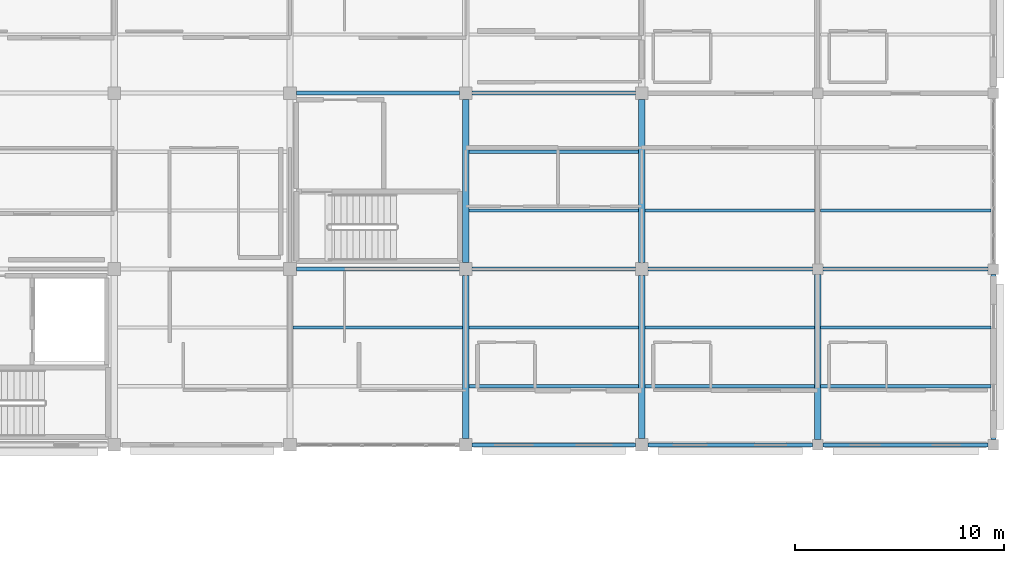
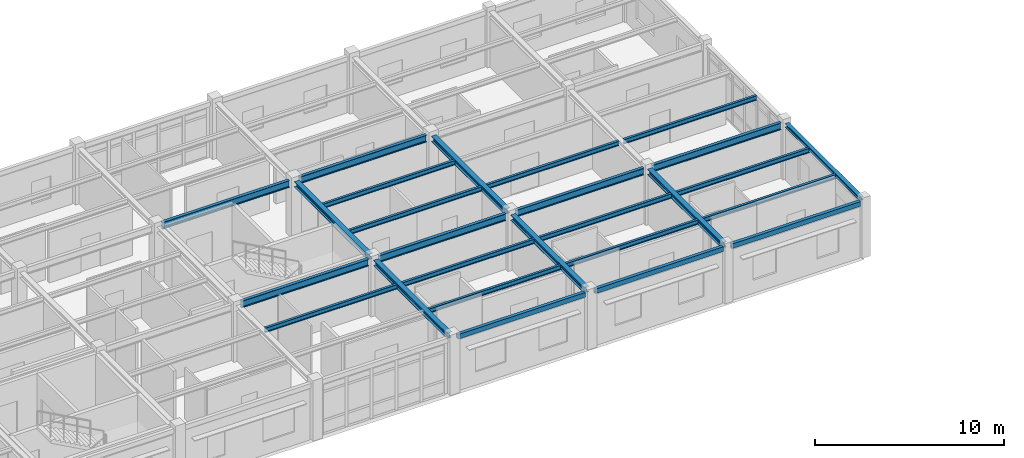
# One storey, part 39 of 86: 26 beams.
"""IFC4 building model written with IfcOpenShell, lengths in metres."""

from ifc_helpers import new_model, si_unit, direction, frame, origin, origin_2d, place, context, subcontext, project, spatial, hollow_rectangle, i_section, extrude, material, material_profile, profile_set, type_object, element, save


model = new_model("IFC4")

# Units and contexts
model_context = context("Model", 3, precision=1e-05, world=origin(), true_north=direction((0.0, 1.0)))
body_context = subcontext(model_context, "Body", "Model", "MODEL_VIEW")
ifc_project = project(units=[si_unit("LENGTHUNIT", "METRE"), si_unit("AREAUNIT", "SQUARE_METRE"), si_unit("VOLUMEUNIT", "CUBIC_METRE"), si_unit("PLANEANGLEUNIT", "RADIAN"), si_unit("MASSUNIT", "GRAM", prefix="KILO")], contexts=[model_context])

# Site, building, storey
site_placement = place(None, origin())
site = spatial("IfcSite", under=ifc_project, at=site_placement, CompositionType="ELEMENT")
building_placement = place(site_placement, origin())
building = spatial("IfcBuilding", under=site, at=building_placement, Name="Bramfleet General Hospital", CompositionType="ELEMENT")
storey_placement = place(building_placement, frame((0.0, 0.0, 18.60009765625)))
storey = spatial("IfcBuildingStorey", under=building, at=storey_placement, Name="L04", CompositionType="ELEMENT", Elevation=18.60009765625)

# Beams
ifc_material = material(Name="Steel S355", Category="steel")
ifc_material_profile_1 = material_profile(ifc_material, i_section(OverallWidth=0.239990234375, OverallDepth=0.22998046875, WebThickness=0.007568359375, FlangeThickness=0.011962890625, FilletRadius=0.02099609375, at=origin_2d()), Name="HEA 240")
ifc_profile_set_1 = profile_set([ifc_material_profile_1], Name="Steel S355")
beam_type_1 = type_object("IfcBeamType", Name="BM-HEA240", PredefinedType="SPANDREL", material=ifc_profile_set_1)
beam_1_placement = place(storey_placement, frame((168.0, 92.64990234375, 3.494873046875), z_axis=(0.0, 1.0, 0.0), x_axis=(-1.0, 0.0, 0.0)))
element("IfcBeam", 1, at=beam_1_placement, inside=storey, type_object=beam_type_1, Name="L04 Grid Beam Y 20-11", PredefinedType="SPANDREL", context=body_context, shape_type="SweptSolid", body=[
    extrude(i_section(OverallWidth=0.239990234375, OverallDepth=0.22998046875, WebThickness=0.007568359375, FlangeThickness=0.011962890625, FilletRadius=0.02099609375, at=origin_2d()), origin(), (0.0, 0.0, 1.0), 7.900146484375),
])
ifc_material_profile_2 = material_profile(ifc_material, i_section(OverallWidth=0.300048828125, OverallDepth=0.35009765625, WebThickness=0.010009765625, FlangeThickness=0.017578125, FilletRadius=0.027099609375, at=origin_2d()), Name="HEA 360")
ifc_profile_set_2 = profile_set([ifc_material_profile_2], Name="Steel S355")
beam_type_2 = type_object("IfcBeamType", Name="BM-HEA360", PredefinedType="BEAM", material=ifc_profile_set_2)
beam_2_placement = place(storey_placement, frame((142.800048828125, 92.699951171875, 3.44482421875), z_axis=(0.0, 1.0, 0.0), x_axis=(-1.0, 0.0, 0.0)))
element("IfcBeam", 2, at=beam_2_placement, inside=storey, type_object=beam_type_2, Name="L04 Grid Beam Y 17-11", PredefinedType="BEAM", context=body_context, shape_type="SweptSolid", body=[
    extrude(i_section(OverallWidth=0.300048828125, OverallDepth=0.35009765625, WebThickness=0.010009765625, FlangeThickness=0.017578125, FilletRadius=0.027099609375, at=origin_2d()), origin(), (0.0, 0.0, 1.0), 7.800048828125),
])
beam_3_placement = place(storey_placement, frame((142.800048828125, 101.10009765625, 3.44482421875), z_axis=(0.0, 1.0, 0.0), x_axis=(-1.0, 0.0, 0.0)))
element("IfcBeam", 3, at=beam_3_placement, inside=storey, type_object=beam_type_2, Name="L04 Grid Beam Y 17-12", PredefinedType="BEAM", context=body_context, shape_type="SweptSolid", body=[
    extrude(i_section(OverallWidth=0.300048828125, OverallDepth=0.35009765625, WebThickness=0.010009765625, FlangeThickness=0.017578125, FilletRadius=0.027099609375, at=origin_2d()), origin(), (0.0, 0.0, 1.0), 7.7998046875),
])
beam_4_placement = place(storey_placement, frame((151.199951171875, 92.699951171875, 3.44482421875), z_axis=(0.0, 1.0, 0.0), x_axis=(-1.0, 0.0, 0.0)))
element("IfcBeam", 4, at=beam_4_placement, inside=storey, type_object=beam_type_2, Name="L04 Grid Beam Y 18-11", PredefinedType="BEAM", context=body_context, shape_type="SweptSolid", body=[
    extrude(i_section(OverallWidth=0.300048828125, OverallDepth=0.35009765625, WebThickness=0.010009765625, FlangeThickness=0.017578125, FilletRadius=0.027099609375, at=origin_2d()), origin(), (0.0, 0.0, 1.0), 7.800048828125),
])
beam_5_placement = place(storey_placement, frame((151.199951171875, 101.10009765625, 3.44482421875), z_axis=(0.0, 1.0, 0.0), x_axis=(-1.0, 0.0, 0.0)))
element("IfcBeam", 5, at=beam_5_placement, inside=storey, type_object=beam_type_2, Name="L04 Grid Beam Y 18-12", PredefinedType="BEAM", context=body_context, shape_type="SweptSolid", body=[
    extrude(i_section(OverallWidth=0.300048828125, OverallDepth=0.35009765625, WebThickness=0.010009765625, FlangeThickness=0.017578125, FilletRadius=0.027099609375, at=origin_2d()), origin(), (0.0, 0.0, 1.0), 7.7998046875),
])
beam_6_placement = place(storey_placement, frame((159.60009765625, 92.64990234375, 3.434814453125), z_axis=(0.0, 1.0, 0.0), x_axis=(-1.0, 0.0, 0.0)))
element("IfcBeam", 6, at=beam_6_placement, inside=storey, type_object=beam_type_2, Name="L04 Grid Beam Y 19-11", PredefinedType="BEAM", context=body_context, shape_type="SweptSolid", body=[
    extrude(i_section(OverallWidth=0.300048828125, OverallDepth=0.35009765625, WebThickness=0.010009765625, FlangeThickness=0.017578125, FilletRadius=0.027099609375, at=origin_2d()), origin(), (0.0, 0.0, 1.0), 7.900146484375),
])
ifc_material_profile_3 = material_profile(ifc_material, i_section(OverallWidth=0.14990234375, OverallDepth=0.300048828125, WebThickness=0.007080078125, FlangeThickness=0.0107421875, FilletRadius=0.014892578125, at=origin_2d()), Name="IPE 300")
ifc_profile_set_3 = profile_set([ifc_material_profile_3], Name="Steel S355")
beam_type_3 = type_object("IfcBeamType", Name="BM-IPE300", PredefinedType="JOIST", material=ifc_profile_set_3)
beam_7_placement = place(storey_placement, frame((134.550048828125, 98.0, 3.469970703125), z_axis=(1.0, 0.0, 0.0), x_axis=(0.0, 1.0, 0.0)))
element("IfcBeam", 7, at=beam_7_placement, inside=storey, type_object=beam_type_3, Name="L04 Secondary Joist 16-11-2", PredefinedType="JOIST", context=body_context, shape_type="SweptSolid", body=[
    extrude(i_section(OverallWidth=0.14990234375, OverallDepth=0.300048828125, WebThickness=0.007080078125, FlangeThickness=0.0107421875, FilletRadius=0.014892578125, at=origin_2d()), origin(), (0.0, 0.0, 1.0), 8.099853515625),
])
for number, where, z_axis, x_axis, name in (
    (8, (142.949951171875, 95.199951171875, 3.469970703125), (1.0, 0.0, 0.0), (0.0, 1.0, 0.0), "L04 Secondary Joist 17-11-1"),
    (9, (142.949951171875, 98.0, 3.469970703125), (1.0, 0.0, 0.0), (0.0, 1.0, 0.0), "L04 Secondary Joist 17-11-2"),
    (10, (142.949951171875, 103.60009765625, 3.469970703125), (1.0, 0.0, 0.0), (0.0, 1.0, 0.0), "L04 Secondary Joist 17-12-1"),
    (11, (142.949951171875, 106.39990234375, 3.469970703125), (1.0, 0.0, 0.0), (0.0, 1.0, 0.0), "L04 Secondary Joist 17-12-2"),
):
    element("IfcBeam", number, at=place(storey_placement, frame(where, z_axis=z_axis, x_axis=x_axis)), inside=storey, type_object=beam_type_3, Name=name, PredefinedType="JOIST", context=body_context, shape_type="SweptSolid", body=[
        extrude(i_section(OverallWidth=0.14990234375, OverallDepth=0.300048828125, WebThickness=0.007080078125, FlangeThickness=0.0107421875, FilletRadius=0.014892578125, at=origin_2d()), origin(), (0.0, 0.0, 1.0), 8.10009765625),
    ])
for number, where, z_axis, x_axis, name in (
    (12, (151.35009765625, 95.199951171875, 3.469970703125), (1.0, 0.0, 0.0), (0.0, 1.0, 0.0), "L04 Secondary Joist 18-11-1"),
    (13, (151.35009765625, 98.0, 3.469970703125), (1.0, 0.0, 0.0), (0.0, 1.0, 0.0), "L04 Secondary Joist 18-11-2"),
    (14, (151.35009765625, 103.60009765625, 3.469970703125), (1.0, 0.0, 0.0), (0.0, 1.0, 0.0), "L04 Secondary Joist 18-12-1"),
):
    element("IfcBeam", number, at=place(storey_placement, frame(where, z_axis=z_axis, x_axis=x_axis)), inside=storey, type_object=beam_type_3, Name=name, PredefinedType="JOIST", context=body_context, shape_type="SweptSolid", body=[
        extrude(i_section(OverallWidth=0.14990234375, OverallDepth=0.300048828125, WebThickness=0.007080078125, FlangeThickness=0.0107421875, FilletRadius=0.014892578125, at=origin_2d()), origin(), (0.0, 0.0, 1.0), 8.099853515625),
    ])
for number, where, z_axis, x_axis, name in (
    (15, (159.75, 95.199951171875, 3.4599609375), (1.0, 0.0, 0.0), (0.0, 1.0, 0.0), "L04 Secondary Joist 19-11-1"),
    (16, (159.75, 98.0, 3.4599609375), (1.0, 0.0, 0.0), (0.0, 1.0, 0.0), "L04 Secondary Joist 19-11-2"),
    (17, (159.75, 103.60009765625, 3.4599609375), (1.0, 0.0, 0.0), (0.0, 1.0, 0.0), "L04 Secondary Joist 19-12-1"),
):
    element("IfcBeam", number, at=place(storey_placement, frame(where, z_axis=z_axis, x_axis=x_axis)), inside=storey, type_object=beam_type_3, Name=name, PredefinedType="JOIST", context=body_context, shape_type="SweptSolid", body=[
        extrude(i_section(OverallWidth=0.14990234375, OverallDepth=0.300048828125, WebThickness=0.007080078125, FlangeThickness=0.0107421875, FilletRadius=0.014892578125, at=origin_2d()), origin(), (0.0, 0.0, 1.0), 8.1298828125),
    ])
ifc_material_profile_4 = material_profile(ifc_material, i_section(OverallWidth=0.18994140625, OverallDepth=0.449951171875, WebThickness=0.009521484375, FlangeThickness=0.0146484375, FilletRadius=0.02099609375, at=origin_2d()), Name="IPE 450")
ifc_profile_set_4 = profile_set([ifc_material_profile_4], Name="Steel S355")
beam_type_4 = type_object("IfcBeamType", Name="BM-IPE450", PredefinedType="BEAM", material=ifc_profile_set_4)
for number, where, z_axis, x_axis, name in (
    (18, (134.699951171875, 100.800048828125, 3.39501953125), (1.0, 0.0, 0.0), (0.0, 1.0, 0.0), "L04 Grid Beam X 16-12"),
    (19, (134.699951171875, 109.199951171875, 3.39501953125), (1.0, 0.0, 0.0), (0.0, 1.0, 0.0), "L04 Grid Beam X 16-13"),
):
    element("IfcBeam", number, at=place(storey_placement, frame(where, z_axis=z_axis, x_axis=x_axis)), inside=storey, type_object=beam_type_4, Name=name, PredefinedType="BEAM", context=body_context, shape_type="SweptSolid", body=[
        extrude(i_section(OverallWidth=0.18994140625, OverallDepth=0.449951171875, WebThickness=0.009521484375, FlangeThickness=0.0146484375, FilletRadius=0.02099609375, at=origin_2d()), origin(), (0.0, 0.0, 1.0), 7.800048828125),
    ])
for number, where, z_axis, x_axis, name in (
    (20, (143.10009765625, 100.800048828125, 3.39501953125), (1.0, 0.0, 0.0), (0.0, 1.0, 0.0), "L04 Grid Beam X 17-12"),
    (21, (143.10009765625, 109.199951171875, 3.39501953125), (1.0, 0.0, 0.0), (0.0, 1.0, 0.0), "L04 Grid Beam X 17-13"),
):
    element("IfcBeam", number, at=place(storey_placement, frame(where, z_axis=z_axis, x_axis=x_axis)), inside=storey, type_object=beam_type_4, Name=name, PredefinedType="BEAM", context=body_context, shape_type="SweptSolid", body=[
        extrude(i_section(OverallWidth=0.18994140625, OverallDepth=0.449951171875, WebThickness=0.009521484375, FlangeThickness=0.0146484375, FilletRadius=0.02099609375, at=origin_2d()), origin(), (0.0, 0.0, 1.0), 7.7998046875),
    ])
beam_8_placement = place(storey_placement, frame((151.5, 100.800048828125, 3.39501953125), z_axis=(1.0, 0.0, 0.0), x_axis=(0.0, 1.0, 0.0)))
element("IfcBeam", 22, at=beam_8_placement, inside=storey, type_object=beam_type_4, Name="L04 Grid Beam X 18-12", PredefinedType="BEAM", context=body_context, shape_type="SweptSolid", body=[
    extrude(i_section(OverallWidth=0.18994140625, OverallDepth=0.449951171875, WebThickness=0.009521484375, FlangeThickness=0.0146484375, FilletRadius=0.02099609375, at=origin_2d()), origin(), (0.0, 0.0, 1.0), 7.85009765625),
])
beam_9_placement = place(storey_placement, frame((159.85009765625, 100.800048828125, 3.385009765625), z_axis=(1.0, 0.0, 0.0), x_axis=(0.0, 1.0, 0.0)))
element("IfcBeam", 23, at=beam_9_placement, inside=storey, type_object=beam_type_4, Name="L04 Grid Beam X 19-12", PredefinedType="BEAM", context=body_context, shape_type="SweptSolid", body=[
    extrude(i_section(OverallWidth=0.18994140625, OverallDepth=0.449951171875, WebThickness=0.009521484375, FlangeThickness=0.0146484375, FilletRadius=0.02099609375, at=origin_2d()), origin(), (0.0, 0.0, 1.0), 7.89990234375),
])
ifc_material_profile_5 = material_profile(ifc_material, hollow_rectangle(XDim=0.199951171875, YDim=0.300048828125, WallThickness=0.012451171875, at=origin_2d()), Name="RHS 300x200x12.5")
ifc_profile_set_5 = profile_set([ifc_material_profile_5], Name="Steel S355")
beam_type_5 = type_object("IfcBeamType", Name="BM-RHS300", PredefinedType="SPANDREL", material=ifc_profile_set_5)
beam_10_placement = place(storey_placement, frame((143.10009765625, 92.39990234375, 3.469970703125), z_axis=(1.0, 0.0, 0.0), x_axis=(0.0, 1.0, 0.0)))
element("IfcBeam", 24, at=beam_10_placement, inside=storey, type_object=beam_type_5, Name="L04 Grid Beam X 17-11", PredefinedType="SPANDREL", context=body_context, shape_type="SweptSolid", body=[
    extrude(hollow_rectangle(XDim=0.199951171875, YDim=0.300048828125, WallThickness=0.012451171875, at=origin_2d()), origin(), (0.0, 0.0, 1.0), 7.7998046875),
])
beam_11_placement = place(storey_placement, frame((151.5, 92.39990234375, 3.469970703125), z_axis=(1.0, 0.0, 0.0), x_axis=(0.0, 1.0, 0.0)))
element("IfcBeam", 25, at=beam_11_placement, inside=storey, type_object=beam_type_5, Name="L04 Grid Beam X 18-11", PredefinedType="SPANDREL", context=body_context, shape_type="SweptSolid", body=[
    extrude(hollow_rectangle(XDim=0.199951171875, YDim=0.300048828125, WallThickness=0.012451171875, at=origin_2d()), origin(), (0.0, 0.0, 1.0), 7.85009765625),
])
beam_12_placement = place(storey_placement, frame((159.85009765625, 92.39990234375, 3.4599609375), z_axis=(1.0, 0.0, 0.0), x_axis=(0.0, 1.0, 0.0)))
element("IfcBeam", 26, at=beam_12_placement, inside=storey, type_object=beam_type_5, Name="L04 Grid Beam X 19-11", PredefinedType="SPANDREL", context=body_context, shape_type="SweptSolid", body=[
    extrude(hollow_rectangle(XDim=0.199951171875, YDim=0.300048828125, WallThickness=0.012451171875, at=origin_2d()), origin(), (0.0, 0.0, 1.0), 7.89990234375),
])

save(model, "model.ifc")
